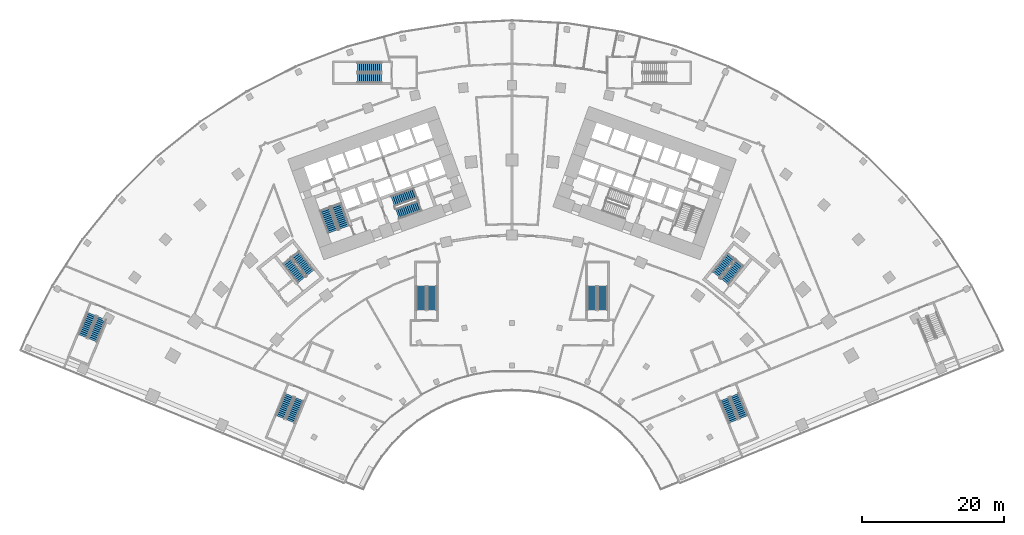
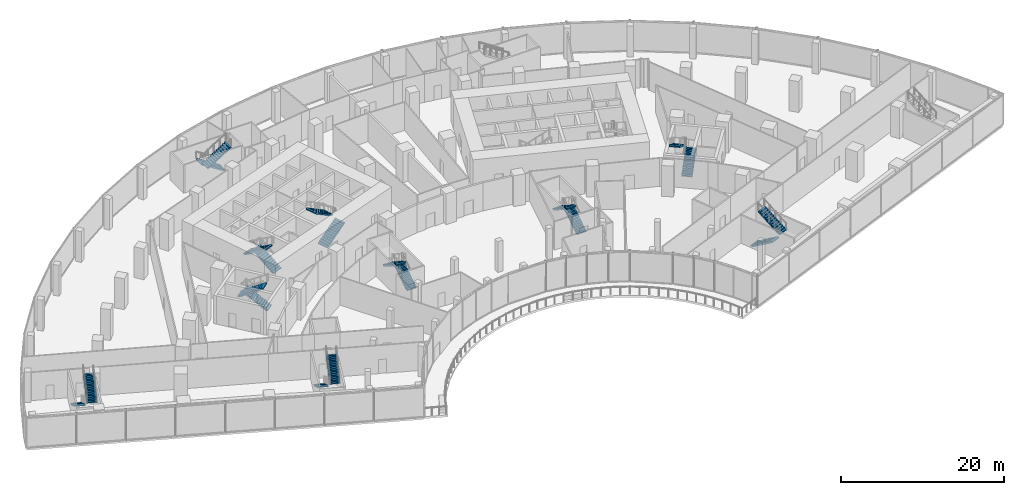
# One storey, part 30 of 39: 20 stair flights, 10 elements without a shape of their own.
"""IFC4 building model written with IfcOpenShell, lengths in metres."""

from ifc_helpers import new_model, si_unit, direction, frame, origin, place, context, subcontext, project, spatial, polyline, outline, extrude, material, layer, layer_set, type_object, element, aggregate, save


model = new_model("IFC4")

# Units and contexts
model_context = context("Model", 3, precision=1e-05, world=origin(), true_north=direction((0.0, 1.0)))
body_context = subcontext(model_context, "Body", "Model", "MODEL_VIEW")
ifc_project = project(units=[si_unit("LENGTHUNIT", "METRE"), si_unit("AREAUNIT", "SQUARE_METRE"), si_unit("VOLUMEUNIT", "CUBIC_METRE"), si_unit("PLANEANGLEUNIT", "RADIAN"), si_unit("MASSUNIT", "GRAM", prefix="KILO")], contexts=[model_context])

# Site, building, storey
site_placement = place(None, origin())
site = spatial("IfcSite", under=ifc_project, at=site_placement, CompositionType="ELEMENT")
building_placement = place(site_placement, origin())
building = spatial("IfcBuilding", under=site, at=building_placement, Name="Stone Belt Terrace Tower", CompositionType="ELEMENT")
storey_placement = place(building_placement, frame((0.0, 0.0, 16.199951171875)))
storey = spatial("IfcBuildingStorey", under=building, at=storey_placement, Name="L03", CompositionType="ELEMENT", Elevation=16.199951171875)

# Stair, stair flights
ifc_material_1 = material(Name="Concrete B30", Category="concrete")
stair_type_1 = type_object("IfcStairType", Name="Podium stair concrete B30", PredefinedType="HALF_TURN_STAIR", material=ifc_material_1)
stair_1_placement = place(storey_placement, origin())
stair_1 = element("IfcStair", 1, at=stair_1_placement, inside=storey, type_object=stair_type_1, Name="L03 podium exit stair 1", PredefinedType="HALF_TURN_STAIR")
ifc_layer = layer(ifc_material_1, 0.14990234375)
ifc_layer_set = layer_set([ifc_layer], Name="Podium stair flight concrete B30")
stair_flight_type_1 = type_object("IfcStairFlightType", Name="Podium stair flight concrete B30", PredefinedType="STRAIGHT", material=ifc_layer_set)
stair_flight_1_placement = place(storey_placement, frame((-31.255126953125, 21.964111328125, 0.0), z_axis=(0.0, 0.0, 1.0), x_axis=(-0.37924309334, -0.925297074541, 0.0)))
stair_flight_1 = element("IfcStairFlight", 2, at=stair_flight_1_placement, type_object=stair_flight_type_1, Name="PS1 flight 1", NumberOfRisers=13, NumberOfTreads=12, PredefinedType="STRAIGHT", RiserHeight=0.176923077, TreadLength=0.28, context=body_context, shape_type="SweptSolid", body=[
    extrude(outline(polyline([(0.0, 0.0), (0.0, 0.177001953125), (0.280029296875, 0.177001953125), (0.280029296875, 0.353759765625), (0.56005859375, 0.353759765625), (0.56005859375, 0.53076171875), (0.840087890625, 0.53076171875), (0.840087890625, 0.707763671875), (1.1201171875, 0.707763671875), (1.1201171875, 0.884521484375), (1.39990234375, 0.884521484375), (1.39990234375, 1.0615234375), (1.679931640625, 1.0615234375), (1.679931640625, 1.238525390625), (1.9599609375, 1.238525390625), (1.9599609375, 1.415283203125), (2.239990234375, 1.415283203125), (2.239990234375, 1.59228515625), (2.52001953125, 1.59228515625), (2.52001953125, 1.769287109375), (2.800048828125, 1.769287109375), (2.800048828125, 1.946044921875), (3.080078125, 1.946044921875), (3.080078125, 2.123046875), (3.360107421875, 2.123046875), (3.360107421875, 2.300048828125), (3.360107421875, 1.94580078125), (0.280517578125, 0.0), (0.0, 0.0)])), frame((0.0, 0.675048828125, 0.0), z_axis=(0.0, -1.0, 0.0), x_axis=(1.0, 0.0, 0.0)), (0.0, 0.0, 1.0), 1.35009765625),
])
stair_flight_2_placement = place(storey_placement, frame((-31.141357421875, 18.2861328125, 2.300048828125), z_axis=(0.0, 0.0, 1.0), x_axis=(0.37924309334, 0.925297074541, 0.0)))
stair_flight_2 = element("IfcStairFlight", 3, at=stair_flight_2_placement, type_object=stair_flight_type_1, Name="PS1 flight 2", NumberOfRisers=13, NumberOfTreads=12, PredefinedType="STRAIGHT", RiserHeight=0.176923077, TreadLength=0.28, context=body_context, shape_type="SweptSolid", body=[
    extrude(outline(polyline([(0.0, 0.0), (0.0, 0.177001953125), (0.280029296875, 0.177001953125), (0.280029296875, 0.353759765625), (0.56005859375, 0.353759765625), (0.56005859375, 0.53076171875), (0.840087890625, 0.53076171875), (0.840087890625, 0.707763671875), (1.1201171875, 0.707763671875), (1.1201171875, 0.884521484375), (1.39990234375, 0.884521484375), (1.39990234375, 1.0615234375), (1.679931640625, 1.0615234375), (1.679931640625, 1.238525390625), (1.9599609375, 1.238525390625), (1.9599609375, 1.415283203125), (2.239990234375, 1.415283203125), (2.239990234375, 1.59228515625), (2.52001953125, 1.59228515625), (2.52001953125, 1.769287109375), (2.800048828125, 1.769287109375), (2.800048828125, 1.946044921875), (3.080078125, 1.946044921875), (3.080078125, 2.123046875), (3.360107421875, 2.123046875), (3.360107421875, 2.300048828125), (3.360107421875, 1.94580078125), (0.280517578125, 0.0), (0.0, 0.0)])), frame((0.0, 0.675048828125, 0.0), z_axis=(0.0, -1.0, 0.0), x_axis=(1.0, 0.0, 0.0)), (0.0, 0.0, 1.0), 1.35009765625),
])
aggregate(stair_1, [stair_flight_1, stair_flight_2])

stair_2_placement = place(storey_placement, origin())
stair_2 = element("IfcStair", 4, at=stair_2_placement, inside=storey, type_object=stair_type_1, Name="L03 podium exit stair 2", PredefinedType="HALF_TURN_STAIR")
stair_flight_3_placement = place(storey_placement, frame((-59.01416015625, 33.34130859375, 0.0), z_axis=(0.0, 0.0, 1.0), x_axis=(-0.37924309334, -0.925297074541, 0.0)))
stair_flight_3 = element("IfcStairFlight", 5, at=stair_flight_3_placement, type_object=stair_flight_type_1, Name="PS2 flight 1", NumberOfRisers=13, NumberOfTreads=12, PredefinedType="STRAIGHT", RiserHeight=0.176923077, TreadLength=0.28, context=body_context, shape_type="SweptSolid", body=[
    extrude(outline(polyline([(0.0, 0.0), (0.0, 0.177001953125), (0.280029296875, 0.177001953125), (0.280029296875, 0.353759765625), (0.56005859375, 0.353759765625), (0.56005859375, 0.53076171875), (0.840087890625, 0.53076171875), (0.840087890625, 0.707763671875), (1.1201171875, 0.707763671875), (1.1201171875, 0.884521484375), (1.39990234375, 0.884521484375), (1.39990234375, 1.0615234375), (1.679931640625, 1.0615234375), (1.679931640625, 1.238525390625), (1.9599609375, 1.238525390625), (1.9599609375, 1.415283203125), (2.239990234375, 1.415283203125), (2.239990234375, 1.59228515625), (2.52001953125, 1.59228515625), (2.52001953125, 1.769287109375), (2.800048828125, 1.769287109375), (2.800048828125, 1.946044921875), (3.080078125, 1.946044921875), (3.080078125, 2.123046875), (3.360107421875, 2.123046875), (3.360107421875, 2.300048828125), (3.360107421875, 1.94580078125), (0.280517578125, 0.0), (0.0, 0.0)])), frame((0.0, 0.675048828125, 0.0), z_axis=(0.0, -1.0, 0.0), x_axis=(1.0, 0.0, 0.0)), (0.0, 0.0, 1.0), 1.35009765625),
])
stair_flight_4_placement = place(storey_placement, frame((-58.900390625, 29.66357421875, 2.300048828125), z_axis=(0.0, 0.0, 1.0), x_axis=(0.37924309334, 0.925297074541, 0.0)))
stair_flight_4 = element("IfcStairFlight", 6, at=stair_flight_4_placement, type_object=stair_flight_type_1, Name="PS2 flight 2", NumberOfRisers=13, NumberOfTreads=12, PredefinedType="STRAIGHT", RiserHeight=0.176923077, TreadLength=0.28, context=body_context, shape_type="SweptSolid", body=[
    extrude(outline(polyline([(0.0, 0.0), (0.0, 0.177001953125), (0.280029296875, 0.177001953125), (0.280029296875, 0.353759765625), (0.56005859375, 0.353759765625), (0.56005859375, 0.53076171875), (0.840087890625, 0.53076171875), (0.840087890625, 0.707763671875), (1.1201171875, 0.707763671875), (1.1201171875, 0.884521484375), (1.39990234375, 0.884521484375), (1.39990234375, 1.0615234375), (1.679931640625, 1.0615234375), (1.679931640625, 1.238525390625), (1.9599609375, 1.238525390625), (1.9599609375, 1.415283203125), (2.239990234375, 1.415283203125), (2.239990234375, 1.59228515625), (2.52001953125, 1.59228515625), (2.52001953125, 1.769287109375), (2.800048828125, 1.769287109375), (2.800048828125, 1.946044921875), (3.080078125, 1.946044921875), (3.080078125, 2.123046875), (3.360107421875, 2.123046875), (3.360107421875, 2.300048828125), (3.360107421875, 1.94580078125), (0.280517578125, 0.0), (0.0, 0.0)])), frame((0.0, 0.675048828125, 0.0), z_axis=(0.0, -1.0, 0.0), x_axis=(1.0, 0.0, 0.0)), (0.0, 0.0, 1.0), 1.35009765625),
])
aggregate(stair_2, [stair_flight_3, stair_flight_4])

stair_3_placement = place(storey_placement, origin())
stair_3 = element("IfcStair", 7, at=stair_3_placement, inside=storey, type_object=stair_type_1, Name="L03 podium exit stair 3", PredefinedType="HALF_TURN_STAIR")
stair_flight_5_placement = place(storey_placement, frame((29.8671875, 21.395263671875, 0.0), z_axis=(0.0, 0.0, 1.0), x_axis=(0.37924309334, -0.925297074541, 0.0)))
stair_flight_5 = element("IfcStairFlight", 8, at=stair_flight_5_placement, type_object=stair_flight_type_1, Name="PS3 flight 1", NumberOfRisers=13, NumberOfTreads=12, PredefinedType="STRAIGHT", RiserHeight=0.176923077, TreadLength=0.28, context=body_context, shape_type="SweptSolid", body=[
    extrude(outline(polyline([(0.0, 0.0), (0.0, 0.177001953125), (0.280029296875, 0.177001953125), (0.280029296875, 0.353759765625), (0.56005859375, 0.353759765625), (0.56005859375, 0.53076171875), (0.840087890625, 0.53076171875), (0.840087890625, 0.707763671875), (1.1201171875, 0.707763671875), (1.1201171875, 0.884521484375), (1.39990234375, 0.884521484375), (1.39990234375, 1.0615234375), (1.679931640625, 1.0615234375), (1.679931640625, 1.238525390625), (1.9599609375, 1.238525390625), (1.9599609375, 1.415283203125), (2.239990234375, 1.415283203125), (2.239990234375, 1.59228515625), (2.52001953125, 1.59228515625), (2.52001953125, 1.769287109375), (2.800048828125, 1.769287109375), (2.800048828125, 1.946044921875), (3.080078125, 1.946044921875), (3.080078125, 2.123046875), (3.360107421875, 2.123046875), (3.360107421875, 2.300048828125), (3.360107421875, 1.94580078125), (0.280517578125, 0.0), (0.0, 0.0)])), frame((0.0, 0.675048828125, 0.0), z_axis=(0.0, -1.0, 0.0), x_axis=(1.0, 0.0, 0.0)), (0.0, 0.0, 1.0), 1.35009765625),
])
stair_flight_6_placement = place(storey_placement, frame((32.529296875, 18.85498046875, 2.300048828125), z_axis=(0.0, 0.0, 1.0), x_axis=(-0.37924309334, 0.925297074541, 0.0)))
stair_flight_6 = element("IfcStairFlight", 9, at=stair_flight_6_placement, type_object=stair_flight_type_1, Name="PS3 flight 2", NumberOfRisers=13, NumberOfTreads=12, PredefinedType="STRAIGHT", RiserHeight=0.176923077, TreadLength=0.28, context=body_context, shape_type="SweptSolid", body=[
    extrude(outline(polyline([(0.0, 0.0), (0.0, 0.177001953125), (0.280029296875, 0.177001953125), (0.280029296875, 0.353759765625), (0.56005859375, 0.353759765625), (0.56005859375, 0.53076171875), (0.840087890625, 0.53076171875), (0.840087890625, 0.707763671875), (1.1201171875, 0.707763671875), (1.1201171875, 0.884521484375), (1.39990234375, 0.884521484375), (1.39990234375, 1.0615234375), (1.679931640625, 1.0615234375), (1.679931640625, 1.238525390625), (1.9599609375, 1.238525390625), (1.9599609375, 1.415283203125), (2.239990234375, 1.415283203125), (2.239990234375, 1.59228515625), (2.52001953125, 1.59228515625), (2.52001953125, 1.769287109375), (2.800048828125, 1.769287109375), (2.800048828125, 1.946044921875), (3.080078125, 1.946044921875), (3.080078125, 2.123046875), (3.360107421875, 2.123046875), (3.360107421875, 2.300048828125), (3.360107421875, 1.94580078125), (0.280517578125, 0.0), (0.0, 0.0)])), frame((0.0, 0.675048828125, 0.0), z_axis=(0.0, -1.0, 0.0), x_axis=(1.0, 0.0, 0.0)), (0.0, 0.0, 1.0), 1.35009765625),
])
aggregate(stair_3, [stair_flight_5, stair_flight_6])

stair_4_placement = place(storey_placement, origin())
stair_4 = element("IfcStair", 10, at=stair_4_placement, inside=storey, type_object=stair_type_1, Name="L03 podium exit stair 5", PredefinedType="HALF_TURN_STAIR")
stair_flight_7_placement = place(storey_placement, frame((-11.25, 33.889892578125, 0.0), z_axis=(0.0, 0.0, 1.0), x_axis=(0.0, 1.0, 0.0)))
stair_flight_7 = element("IfcStairFlight", 11, at=stair_flight_7_placement, type_object=stair_flight_type_1, Name="PS5 flight 1", NumberOfRisers=13, NumberOfTreads=12, PredefinedType="STRAIGHT", RiserHeight=0.176923077, TreadLength=0.28, context=body_context, shape_type="SweptSolid", body=[
    extrude(outline(polyline([(0.0, 0.0), (0.0, 0.177001953125), (0.280029296875, 0.177001953125), (0.280029296875, 0.353759765625), (0.56005859375, 0.353759765625), (0.56005859375, 0.53076171875), (0.840087890625, 0.53076171875), (0.840087890625, 0.707763671875), (1.1201171875, 0.707763671875), (1.1201171875, 0.884521484375), (1.39990234375, 0.884521484375), (1.39990234375, 1.0615234375), (1.679931640625, 1.0615234375), (1.679931640625, 1.238525390625), (1.9599609375, 1.238525390625), (1.9599609375, 1.415283203125), (2.239990234375, 1.415283203125), (2.239990234375, 1.59228515625), (2.52001953125, 1.59228515625), (2.52001953125, 1.769287109375), (2.800048828125, 1.769287109375), (2.800048828125, 1.946044921875), (3.080078125, 1.946044921875), (3.080078125, 2.123046875), (3.360107421875, 2.123046875), (3.360107421875, 2.300048828125), (3.360107421875, 1.94580078125), (0.280517578125, 0.0), (0.0, 0.0)])), frame((0.0, 0.675048828125, 0.0), z_axis=(0.0, -1.0, 0.0), x_axis=(1.0, 0.0, 0.0)), (0.0, 0.0, 1.0), 1.35009765625),
])
stair_flight_8_placement = place(storey_placement, frame((-12.75, 37.25, 2.300048828125), z_axis=(0.0, 0.0, 1.0), x_axis=(0.0, -1.0, 0.0)))
stair_flight_8 = element("IfcStairFlight", 12, at=stair_flight_8_placement, type_object=stair_flight_type_1, Name="PS5 flight 2", NumberOfRisers=13, NumberOfTreads=12, PredefinedType="STRAIGHT", RiserHeight=0.176923077, TreadLength=0.28, context=body_context, shape_type="SweptSolid", body=[
    extrude(outline(polyline([(0.0, 0.0), (0.0, 0.177001953125), (0.280029296875, 0.177001953125), (0.280029296875, 0.353759765625), (0.56005859375, 0.353759765625), (0.56005859375, 0.53076171875), (0.840087890625, 0.53076171875), (0.840087890625, 0.707763671875), (1.1201171875, 0.707763671875), (1.1201171875, 0.884521484375), (1.39990234375, 0.884521484375), (1.39990234375, 1.0615234375), (1.679931640625, 1.0615234375), (1.679931640625, 1.238525390625), (1.9599609375, 1.238525390625), (1.9599609375, 1.415283203125), (2.239990234375, 1.415283203125), (2.239990234375, 1.59228515625), (2.52001953125, 1.59228515625), (2.52001953125, 1.769287109375), (2.800048828125, 1.769287109375), (2.800048828125, 1.946044921875), (3.080078125, 1.946044921875), (3.080078125, 2.123046875), (3.360107421875, 2.123046875), (3.360107421875, 2.300048828125), (3.360107421875, 1.94580078125), (0.280517578125, 0.0), (0.0, 0.0)])), frame((0.0, 0.675048828125, 0.0), z_axis=(0.0, -1.0, 0.0), x_axis=(1.0, 0.0, 0.0)), (0.0, 0.0, 1.0), 1.35009765625),
])
aggregate(stair_4, [stair_flight_7, stair_flight_8])

stair_5_placement = place(storey_placement, origin())
stair_5 = element("IfcStair", 13, at=stair_5_placement, inside=storey, type_object=stair_type_1, Name="L03 podium exit stair 6", PredefinedType="HALF_TURN_STAIR")
stair_flight_9_placement = place(storey_placement, frame((12.75, 33.889892578125, 0.0), z_axis=(0.0, 0.0, 1.0), x_axis=(0.0, 1.0, 0.0)))
stair_flight_9 = element("IfcStairFlight", 14, at=stair_flight_9_placement, type_object=stair_flight_type_1, Name="PS6 flight 1", NumberOfRisers=13, NumberOfTreads=12, PredefinedType="STRAIGHT", RiserHeight=0.176923077, TreadLength=0.28, context=body_context, shape_type="SweptSolid", body=[
    extrude(outline(polyline([(0.0, 0.0), (0.0, 0.177001953125), (0.280029296875, 0.177001953125), (0.280029296875, 0.353759765625), (0.56005859375, 0.353759765625), (0.56005859375, 0.53076171875), (0.840087890625, 0.53076171875), (0.840087890625, 0.707763671875), (1.1201171875, 0.707763671875), (1.1201171875, 0.884521484375), (1.39990234375, 0.884521484375), (1.39990234375, 1.0615234375), (1.679931640625, 1.0615234375), (1.679931640625, 1.238525390625), (1.9599609375, 1.238525390625), (1.9599609375, 1.415283203125), (2.239990234375, 1.415283203125), (2.239990234375, 1.59228515625), (2.52001953125, 1.59228515625), (2.52001953125, 1.769287109375), (2.800048828125, 1.769287109375), (2.800048828125, 1.946044921875), (3.080078125, 1.946044921875), (3.080078125, 2.123046875), (3.360107421875, 2.123046875), (3.360107421875, 2.300048828125), (3.360107421875, 1.94580078125), (0.280517578125, 0.0), (0.0, 0.0)])), frame((0.0, 0.675048828125, 0.0), z_axis=(0.0, -1.0, 0.0), x_axis=(1.0, 0.0, 0.0)), (0.0, 0.0, 1.0), 1.35009765625),
])
stair_flight_10_placement = place(storey_placement, frame((11.25, 37.25, 2.300048828125), z_axis=(0.0, 0.0, 1.0), x_axis=(0.0, -1.0, 0.0)))
stair_flight_10 = element("IfcStairFlight", 15, at=stair_flight_10_placement, type_object=stair_flight_type_1, Name="PS6 flight 2", NumberOfRisers=13, NumberOfTreads=12, PredefinedType="STRAIGHT", RiserHeight=0.176923077, TreadLength=0.28, context=body_context, shape_type="SweptSolid", body=[
    extrude(outline(polyline([(0.0, 0.0), (0.0, 0.177001953125), (0.280029296875, 0.177001953125), (0.280029296875, 0.353759765625), (0.56005859375, 0.353759765625), (0.56005859375, 0.53076171875), (0.840087890625, 0.53076171875), (0.840087890625, 0.707763671875), (1.1201171875, 0.707763671875), (1.1201171875, 0.884521484375), (1.39990234375, 0.884521484375), (1.39990234375, 1.0615234375), (1.679931640625, 1.0615234375), (1.679931640625, 1.238525390625), (1.9599609375, 1.238525390625), (1.9599609375, 1.415283203125), (2.239990234375, 1.415283203125), (2.239990234375, 1.59228515625), (2.52001953125, 1.59228515625), (2.52001953125, 1.769287109375), (2.800048828125, 1.769287109375), (2.800048828125, 1.946044921875), (3.080078125, 1.946044921875), (3.080078125, 2.123046875), (3.360107421875, 2.123046875), (3.360107421875, 2.300048828125), (3.360107421875, 1.94580078125), (0.280517578125, 0.0), (0.0, 0.0)])), frame((0.0, 0.675048828125, 0.0), z_axis=(0.0, -1.0, 0.0), x_axis=(1.0, 0.0, 0.0)), (0.0, 0.0, 1.0), 1.35009765625),
])
aggregate(stair_5, [stair_flight_9, stair_flight_10])

stair_6_placement = place(storey_placement, origin())
stair_6 = element("IfcStair", 16, at=stair_6_placement, inside=storey, type_object=stair_type_1, Name="L03 podium exit stair 7", PredefinedType="HALF_TURN_STAIR")
stair_flight_11_placement = place(storey_placement, frame((-18.340087890625, 68.0, 0.0), z_axis=(0.0, 0.0, 1.0), x_axis=(-1.0, 0.0, 0.0)))
stair_flight_11 = element("IfcStairFlight", 17, at=stair_flight_11_placement, type_object=stair_flight_type_1, Name="PS7 flight 1", NumberOfRisers=13, NumberOfTreads=12, PredefinedType="STRAIGHT", RiserHeight=0.176923077, TreadLength=0.28, context=body_context, shape_type="SweptSolid", body=[
    extrude(outline(polyline([(0.0, 0.0), (0.0, 0.177001953125), (0.280029296875, 0.177001953125), (0.280029296875, 0.353759765625), (0.56005859375, 0.353759765625), (0.56005859375, 0.53076171875), (0.840087890625, 0.53076171875), (0.840087890625, 0.707763671875), (1.1201171875, 0.707763671875), (1.1201171875, 0.884521484375), (1.39990234375, 0.884521484375), (1.39990234375, 1.0615234375), (1.679931640625, 1.0615234375), (1.679931640625, 1.238525390625), (1.9599609375, 1.238525390625), (1.9599609375, 1.415283203125), (2.239990234375, 1.415283203125), (2.239990234375, 1.59228515625), (2.52001953125, 1.59228515625), (2.52001953125, 1.769287109375), (2.800048828125, 1.769287109375), (2.800048828125, 1.946044921875), (3.080078125, 1.946044921875), (3.080078125, 2.123046875), (3.360107421875, 2.123046875), (3.360107421875, 2.300048828125), (3.360107421875, 1.94580078125), (0.280517578125, 0.0), (0.0, 0.0)])), frame((0.0, 0.675048828125, 0.0), z_axis=(0.0, -1.0, 0.0), x_axis=(1.0, 0.0, 0.0)), (0.0, 0.0, 1.0), 1.35009765625),
])
stair_flight_12_placement = place(storey_placement, frame((-21.699951171875, 66.5, 2.300048828125), z_axis=(0.0, 0.0, 1.0), x_axis=(1.0, 0.0, 0.0)))
stair_flight_12 = element("IfcStairFlight", 18, at=stair_flight_12_placement, type_object=stair_flight_type_1, Name="PS7 flight 2", NumberOfRisers=13, NumberOfTreads=12, PredefinedType="STRAIGHT", RiserHeight=0.176923077, TreadLength=0.28, context=body_context, shape_type="SweptSolid", body=[
    extrude(outline(polyline([(0.0, 0.0), (0.0, 0.177001953125), (0.280029296875, 0.177001953125), (0.280029296875, 0.353759765625), (0.56005859375, 0.353759765625), (0.56005859375, 0.53076171875), (0.840087890625, 0.53076171875), (0.840087890625, 0.707763671875), (1.1201171875, 0.707763671875), (1.1201171875, 0.884521484375), (1.39990234375, 0.884521484375), (1.39990234375, 1.0615234375), (1.679931640625, 1.0615234375), (1.679931640625, 1.238525390625), (1.9599609375, 1.238525390625), (1.9599609375, 1.415283203125), (2.239990234375, 1.415283203125), (2.239990234375, 1.59228515625), (2.52001953125, 1.59228515625), (2.52001953125, 1.769287109375), (2.800048828125, 1.769287109375), (2.800048828125, 1.946044921875), (3.080078125, 1.946044921875), (3.080078125, 2.123046875), (3.360107421875, 2.123046875), (3.360107421875, 2.300048828125), (3.360107421875, 1.94580078125), (0.280517578125, 0.0), (0.0, 0.0)])), frame((0.0, 0.675048828125, 0.0), z_axis=(0.0, -1.0, 0.0), x_axis=(1.0, 0.0, 0.0)), (0.0, 0.0, 1.0), 1.35009765625),
])
aggregate(stair_6, [stair_flight_11, stair_flight_12])

ifc_material_2 = material(Name="Concrete B40", Category="concrete")
stair_type_2 = type_object("IfcStairType", Name="Exit stair 1500", PredefinedType="HALF_TURN_STAIR", material=ifc_material_2)
stair_7_placement = place(storey_placement, origin())
stair_7 = element("IfcStair", 19, at=stair_7_placement, inside=storey, type_object=stair_type_2, Name="L03 Exit stair 1 core A", PredefinedType="HALF_TURN_STAIR")
stair_flight_type_2 = type_object("IfcStairFlightType", Name="Stair flight 1500", PredefinedType="STRAIGHT", material=ifc_material_2)
stair_flight_13_placement = place(storey_placement, frame((-23.55322265625, 45.51318359375, 0.0), z_axis=(0.0, 0.0, 1.0), x_axis=(-0.338624396177, 0.940921632398, 0.0)))
stair_flight_13 = element("IfcStairFlight", 20, at=stair_flight_13_placement, type_object=stair_flight_type_2, Name="ST1A flight 1", NumberOfRisers=13, NumberOfTreads=12, PredefinedType="STRAIGHT", RiserHeight=0.176923077, TreadLength=0.28, context=body_context, shape_type="SweptSolid", body=[
    extrude(outline(polyline([(0.0, 0.0), (0.0, 0.177001953125), (0.280029296875, 0.177001953125), (0.280029296875, 0.353759765625), (0.56005859375, 0.353759765625), (0.56005859375, 0.53076171875), (0.840087890625, 0.53076171875), (0.840087890625, 0.707763671875), (1.1201171875, 0.707763671875), (1.1201171875, 0.884521484375), (1.39990234375, 0.884521484375), (1.39990234375, 1.0615234375), (1.679931640625, 1.0615234375), (1.679931640625, 1.238525390625), (1.9599609375, 1.238525390625), (1.9599609375, 1.415283203125), (2.239990234375, 1.415283203125), (2.239990234375, 1.59228515625), (2.52001953125, 1.59228515625), (2.52001953125, 1.769287109375), (2.800048828125, 1.769287109375), (2.800048828125, 1.946044921875), (3.080078125, 1.946044921875), (3.080078125, 2.123046875), (3.360107421875, 2.123046875), (3.360107421875, 2.300048828125), (3.360107421875, 1.94580078125), (0.280517578125, 0.0), (0.0, 0.0)])), frame((0.0, 0.75, 0.0), z_axis=(0.0, -1.0, 0.0), x_axis=(1.0, 0.0, 0.0)), (0.0, 0.0, 1.0), 1.5),
])
stair_flight_14_placement = place(storey_placement, frame((-26.290771484375, 48.098876953125, 2.300048828125), z_axis=(0.0, 0.0, 1.0), x_axis=(0.338624396177, -0.940921632398, 0.0)))
stair_flight_14 = element("IfcStairFlight", 21, at=stair_flight_14_placement, type_object=stair_flight_type_2, Name="ST1A flight 2", NumberOfRisers=13, NumberOfTreads=12, PredefinedType="STRAIGHT", RiserHeight=0.176923077, TreadLength=0.28, context=body_context, shape_type="SweptSolid", body=[
    extrude(outline(polyline([(0.0, 0.0), (0.0, 0.177001953125), (0.280029296875, 0.177001953125), (0.280029296875, 0.353759765625), (0.56005859375, 0.353759765625), (0.56005859375, 0.53076171875), (0.840087890625, 0.53076171875), (0.840087890625, 0.707763671875), (1.1201171875, 0.707763671875), (1.1201171875, 0.884521484375), (1.39990234375, 0.884521484375), (1.39990234375, 1.0615234375), (1.679931640625, 1.0615234375), (1.679931640625, 1.238525390625), (1.9599609375, 1.238525390625), (1.9599609375, 1.415283203125), (2.239990234375, 1.415283203125), (2.239990234375, 1.59228515625), (2.52001953125, 1.59228515625), (2.52001953125, 1.769287109375), (2.800048828125, 1.769287109375), (2.800048828125, 1.946044921875), (3.080078125, 1.946044921875), (3.080078125, 2.123046875), (3.360107421875, 2.123046875), (3.360107421875, 2.300048828125), (3.360107421875, 1.94580078125), (0.280517578125, 0.0), (0.0, 0.0)])), frame((0.0, 0.75, 0.0), z_axis=(0.0, -1.0, 0.0), x_axis=(1.0, 0.0, 0.0)), (0.0, 0.0, 1.0), 1.5),
])
aggregate(stair_7, [stair_flight_13, stair_flight_14])

stair_8_placement = place(storey_placement, origin())
stair_8 = element("IfcStair", 22, at=stair_8_placement, inside=storey, type_object=stair_type_2, Name="L03 Exit stair 2 core A", PredefinedType="HALF_TURN_STAIR")
stair_flight_15_placement = place(storey_placement, frame((-16.101318359375, 47.39794921875, 0.0), z_axis=(0.0, 0.0, 1.0), x_axis=(0.940921632398, 0.338624396177, 0.0)))
stair_flight_15 = element("IfcStairFlight", 23, at=stair_flight_15_placement, type_object=stair_flight_type_2, Name="ST2A flight 1", NumberOfRisers=13, NumberOfTreads=12, PredefinedType="STRAIGHT", RiserHeight=0.176923077, TreadLength=0.28, context=body_context, shape_type="SweptSolid", body=[
    extrude(outline(polyline([(0.0, 0.0), (0.0, 0.177001953125), (0.280029296875, 0.177001953125), (0.280029296875, 0.353759765625), (0.56005859375, 0.353759765625), (0.56005859375, 0.53076171875), (0.840087890625, 0.53076171875), (0.840087890625, 0.707763671875), (1.1201171875, 0.707763671875), (1.1201171875, 0.884521484375), (1.39990234375, 0.884521484375), (1.39990234375, 1.0615234375), (1.679931640625, 1.0615234375), (1.679931640625, 1.238525390625), (1.9599609375, 1.238525390625), (1.9599609375, 1.415283203125), (2.239990234375, 1.415283203125), (2.239990234375, 1.59228515625), (2.52001953125, 1.59228515625), (2.52001953125, 1.769287109375), (2.800048828125, 1.769287109375), (2.800048828125, 1.946044921875), (3.080078125, 1.946044921875), (3.080078125, 2.123046875), (3.360107421875, 2.123046875), (3.360107421875, 2.300048828125), (3.360107421875, 1.94580078125), (0.280517578125, 0.0), (0.0, 0.0)])), frame((0.0, 0.75, 0.0), z_axis=(0.0, -1.0, 0.0), x_axis=(1.0, 0.0, 0.0)), (0.0, 0.0, 1.0), 1.5),
])
stair_flight_16_placement = place(storey_placement, frame((-13.583251953125, 50.323486328125, 2.300048828125), z_axis=(0.0, 0.0, 1.0), x_axis=(-0.940921632398, -0.338624396177, 0.0)))
stair_flight_16 = element("IfcStairFlight", 24, at=stair_flight_16_placement, type_object=stair_flight_type_2, Name="ST2A flight 2", NumberOfRisers=13, NumberOfTreads=12, PredefinedType="STRAIGHT", RiserHeight=0.176923077, TreadLength=0.28, context=body_context, shape_type="SweptSolid", body=[
    extrude(outline(polyline([(0.0, 0.0), (0.0, 0.177001953125), (0.280029296875, 0.177001953125), (0.280029296875, 0.353759765625), (0.56005859375, 0.353759765625), (0.56005859375, 0.53076171875), (0.840087890625, 0.53076171875), (0.840087890625, 0.707763671875), (1.1201171875, 0.707763671875), (1.1201171875, 0.884521484375), (1.39990234375, 0.884521484375), (1.39990234375, 1.0615234375), (1.679931640625, 1.0615234375), (1.679931640625, 1.238525390625), (1.9599609375, 1.238525390625), (1.9599609375, 1.415283203125), (2.239990234375, 1.415283203125), (2.239990234375, 1.59228515625), (2.52001953125, 1.59228515625), (2.52001953125, 1.769287109375), (2.800048828125, 1.769287109375), (2.800048828125, 1.946044921875), (3.080078125, 1.946044921875), (3.080078125, 2.123046875), (3.360107421875, 2.123046875), (3.360107421875, 2.300048828125), (3.360107421875, 1.94580078125), (0.280517578125, 0.0), (0.0, 0.0)])), frame((0.0, 0.75, 0.0), z_axis=(0.0, -1.0, 0.0), x_axis=(1.0, 0.0, 0.0)), (0.0, 0.0, 1.0), 1.5),
])
aggregate(stair_8, [stair_flight_15, stair_flight_16])

stair_9_placement = place(storey_placement, origin())
stair_9 = element("IfcStair", 25, at=stair_9_placement, inside=storey, type_object=stair_type_2, Name="L03 Exit stair 3A", PredefinedType="HALF_TURN_STAIR")
stair_flight_17_placement = place(storey_placement, frame((-28.325439453125, 39.1240234375, 0.0), z_axis=(0.0, 0.0, 1.0), x_axis=(-0.623121363691, 0.782125160132, 0.0)))
stair_flight_17 = element("IfcStairFlight", 26, at=stair_flight_17_placement, type_object=stair_flight_type_2, Name="ST3A flight 1", NumberOfRisers=13, NumberOfTreads=12, PredefinedType="STRAIGHT", RiserHeight=0.176923077, TreadLength=0.28, context=body_context, shape_type="SweptSolid", body=[
    extrude(outline(polyline([(0.0, 0.0), (0.0, 0.177001953125), (0.280029296875, 0.177001953125), (0.280029296875, 0.353759765625), (0.56005859375, 0.353759765625), (0.56005859375, 0.53076171875), (0.840087890625, 0.53076171875), (0.840087890625, 0.707763671875), (1.1201171875, 0.707763671875), (1.1201171875, 0.884521484375), (1.39990234375, 0.884521484375), (1.39990234375, 1.0615234375), (1.679931640625, 1.0615234375), (1.679931640625, 1.238525390625), (1.9599609375, 1.238525390625), (1.9599609375, 1.415283203125), (2.239990234375, 1.415283203125), (2.239990234375, 1.59228515625), (2.52001953125, 1.59228515625), (2.52001953125, 1.769287109375), (2.800048828125, 1.769287109375), (2.800048828125, 1.946044921875), (3.080078125, 1.946044921875), (3.080078125, 2.123046875), (3.360107421875, 2.123046875), (3.360107421875, 2.300048828125), (3.360107421875, 1.94580078125), (0.280517578125, 0.0), (0.0, 0.0)])), frame((0.0, 0.675048828125, 0.0), z_axis=(0.0, -1.0, 0.0), x_axis=(1.0, 0.0, 0.0)), (0.0, 0.0, 1.0), 1.35009765625),
])
stair_flight_18_placement = place(storey_placement, frame((-31.63134765625, 40.7861328125, 2.300048828125), z_axis=(0.0, 0.0, 1.0), x_axis=(0.623121363691, -0.782125160132, 0.0)))
stair_flight_18 = element("IfcStairFlight", 27, at=stair_flight_18_placement, type_object=stair_flight_type_2, Name="ST3A flight 2", NumberOfRisers=13, NumberOfTreads=12, PredefinedType="STRAIGHT", RiserHeight=0.176923077, TreadLength=0.28, context=body_context, shape_type="SweptSolid", body=[
    extrude(outline(polyline([(0.0, 0.0), (0.0, 0.177001953125), (0.280029296875, 0.177001953125), (0.280029296875, 0.353759765625), (0.56005859375, 0.353759765625), (0.56005859375, 0.53076171875), (0.840087890625, 0.53076171875), (0.840087890625, 0.707763671875), (1.1201171875, 0.707763671875), (1.1201171875, 0.884521484375), (1.39990234375, 0.884521484375), (1.39990234375, 1.0615234375), (1.679931640625, 1.0615234375), (1.679931640625, 1.238525390625), (1.9599609375, 1.238525390625), (1.9599609375, 1.415283203125), (2.239990234375, 1.415283203125), (2.239990234375, 1.59228515625), (2.52001953125, 1.59228515625), (2.52001953125, 1.769287109375), (2.800048828125, 1.769287109375), (2.800048828125, 1.946044921875), (3.080078125, 1.946044921875), (3.080078125, 2.123046875), (3.360107421875, 2.123046875), (3.360107421875, 2.300048828125), (3.360107421875, 1.94580078125), (0.280517578125, 0.0), (0.0, 0.0)])), frame((0.0, 0.675048828125, 0.0), z_axis=(0.0, -1.0, 0.0), x_axis=(1.0, 0.0, 0.0)), (0.0, 0.0, 1.0), 1.35009765625),
])
aggregate(stair_9, [stair_flight_17, stair_flight_18])

stair_10_placement = place(storey_placement, origin())
stair_10 = element("IfcStair", 28, at=stair_10_placement, inside=storey, type_object=stair_type_2, Name="L03 Exit stair 3B", PredefinedType="HALF_TURN_STAIR")
stair_flight_19_placement = place(storey_placement, frame((29.88330078125, 37.887939453125, 0.0), z_axis=(0.0, 0.0, 1.0), x_axis=(0.630205749599, 0.776428176441, 0.0)))
stair_flight_19 = element("IfcStairFlight", 29, at=stair_flight_19_placement, type_object=stair_flight_type_2, Name="ST3B flight 1", NumberOfRisers=13, NumberOfTreads=12, PredefinedType="STRAIGHT", RiserHeight=0.176923077, TreadLength=0.28, context=body_context, shape_type="SweptSolid", body=[
    extrude(outline(polyline([(0.0, 0.0), (0.0, 0.177001953125), (0.280029296875, 0.177001953125), (0.280029296875, 0.353759765625), (0.56005859375, 0.353759765625), (0.56005859375, 0.53076171875), (0.840087890625, 0.53076171875), (0.840087890625, 0.707763671875), (1.1201171875, 0.707763671875), (1.1201171875, 0.884521484375), (1.39990234375, 0.884521484375), (1.39990234375, 1.0615234375), (1.679931640625, 1.0615234375), (1.679931640625, 1.238525390625), (1.9599609375, 1.238525390625), (1.9599609375, 1.415283203125), (2.239990234375, 1.415283203125), (2.239990234375, 1.59228515625), (2.52001953125, 1.59228515625), (2.52001953125, 1.769287109375), (2.800048828125, 1.769287109375), (2.800048828125, 1.946044921875), (3.080078125, 1.946044921875), (3.080078125, 2.123046875), (3.360107421875, 2.123046875), (3.360107421875, 2.300048828125), (3.360107421875, 1.94580078125), (0.280517578125, 0.0), (0.0, 0.0)])), frame((0.0, 0.675048828125, 0.0), z_axis=(0.0, -1.0, 0.0), x_axis=(1.0, 0.0, 0.0)), (0.0, 0.0, 1.0), 1.35009765625),
])
stair_flight_20_placement = place(storey_placement, frame((30.79736328125, 41.4736328125, 2.300048828125), z_axis=(0.0, 0.0, 1.0), x_axis=(-0.630205749599, -0.776428176441, 0.0)))
stair_flight_20 = element("IfcStairFlight", 30, at=stair_flight_20_placement, type_object=stair_flight_type_2, Name="ST3B flight 2", NumberOfRisers=13, NumberOfTreads=12, PredefinedType="STRAIGHT", RiserHeight=0.176923077, TreadLength=0.28, context=body_context, shape_type="SweptSolid", body=[
    extrude(outline(polyline([(0.0, 0.0), (0.0, 0.177001953125), (0.280029296875, 0.177001953125), (0.280029296875, 0.353759765625), (0.56005859375, 0.353759765625), (0.56005859375, 0.53076171875), (0.840087890625, 0.53076171875), (0.840087890625, 0.707763671875), (1.1201171875, 0.707763671875), (1.1201171875, 0.884521484375), (1.39990234375, 0.884521484375), (1.39990234375, 1.0615234375), (1.679931640625, 1.0615234375), (1.679931640625, 1.238525390625), (1.9599609375, 1.238525390625), (1.9599609375, 1.415283203125), (2.239990234375, 1.415283203125), (2.239990234375, 1.59228515625), (2.52001953125, 1.59228515625), (2.52001953125, 1.769287109375), (2.800048828125, 1.769287109375), (2.800048828125, 1.946044921875), (3.080078125, 1.946044921875), (3.080078125, 2.123046875), (3.360107421875, 2.123046875), (3.360107421875, 2.300048828125), (3.360107421875, 1.94580078125), (0.280517578125, 0.0), (0.0, 0.0)])), frame((0.0, 0.675048828125, 0.0), z_axis=(0.0, -1.0, 0.0), x_axis=(1.0, 0.0, 0.0)), (0.0, 0.0, 1.0), 1.35009765625),
])
aggregate(stair_10, [stair_flight_19, stair_flight_20])

save(model, "model.ifc")
